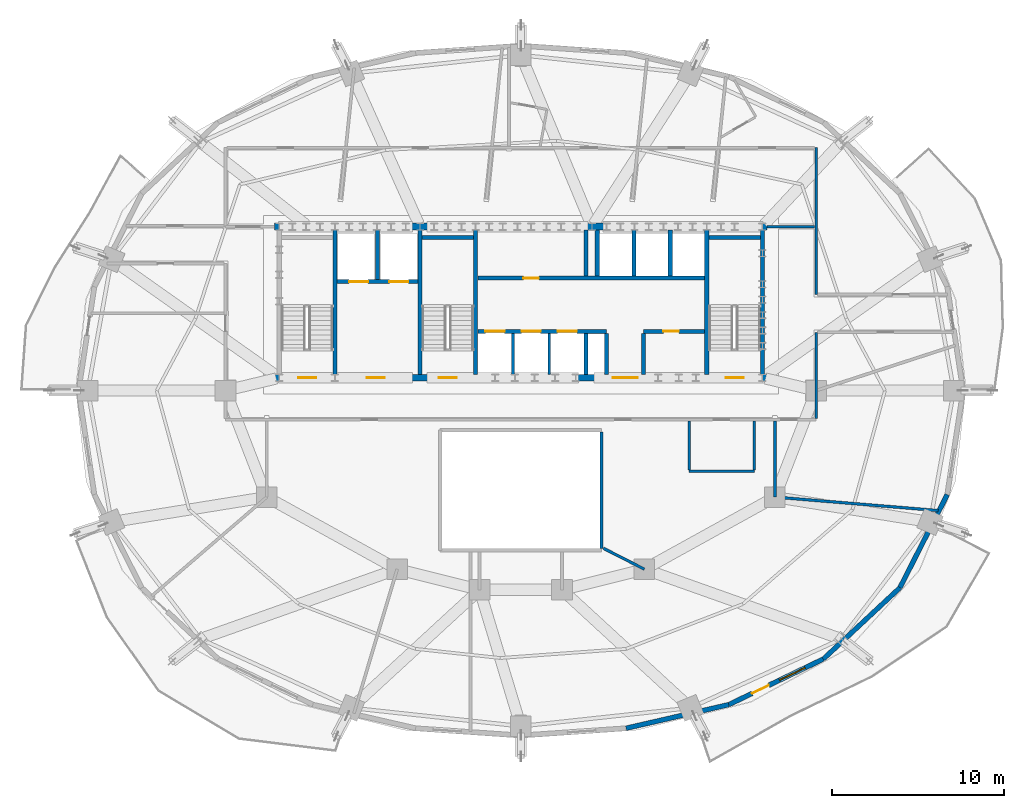
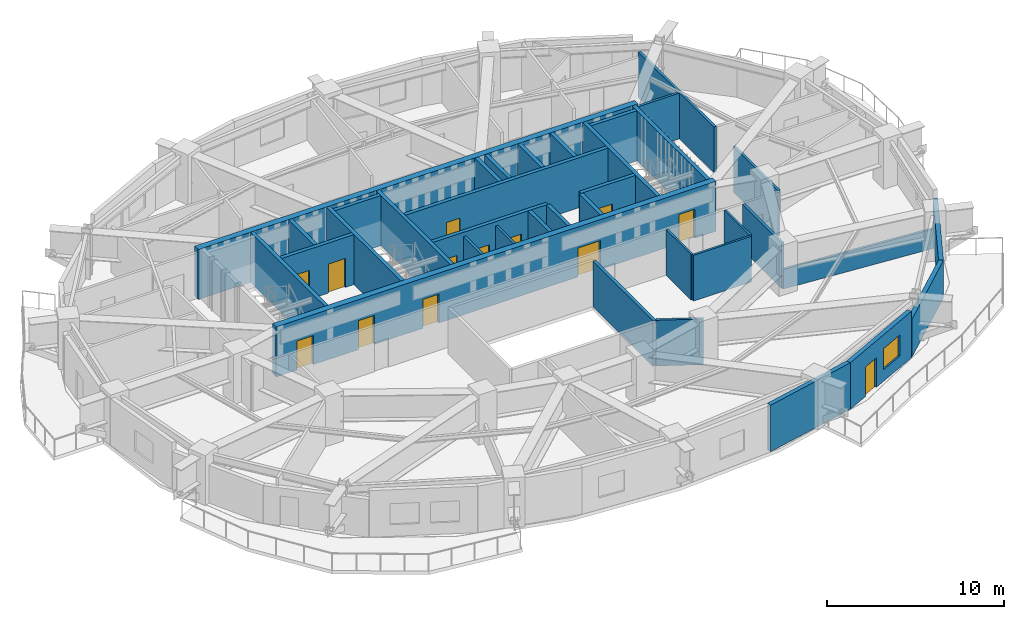
# One storey, part 8 of 14: 37 walls, 13 doors, 1 window, 14 openings.
"""IFC4 building model written with IfcOpenShell, lengths in metres."""

from ifc_helpers import new_model, si_unit, direction, frame, frame_2d, origin, place, context, subcontext, project, spatial, rectangle, extrude, material, layer, layer_set, type_object, element, fill, save


model = new_model("IFC4")

# Units and contexts
model_context = context("Model", 3, precision=1e-05, world=origin(), true_north=direction((0.0, 1.0)))
body_context = subcontext(model_context, "Body", "Model", "MODEL_VIEW")
ifc_project = project(units=[si_unit("LENGTHUNIT", "METRE"), si_unit("AREAUNIT", "SQUARE_METRE"), si_unit("VOLUMEUNIT", "CUBIC_METRE"), si_unit("PLANEANGLEUNIT", "RADIAN"), si_unit("MASSUNIT", "GRAM", prefix="KILO")], contexts=[model_context])

# Site, building, storey
site_placement = place(None, origin())
site = spatial("IfcSite", under=ifc_project, at=site_placement, CompositionType="ELEMENT")
building_placement = place(site_placement, origin())
building = spatial("IfcBuilding", under=site, at=building_placement, Name="Haldorwick Loom Tower", CompositionType="ELEMENT")
storey_placement = place(building_placement, frame((0.0, 0.0, 182.050048828125)))
storey = spatial("IfcBuildingStorey", under=building, at=storey_placement, Name="L49", CompositionType="ELEMENT", Elevation=182.050048828125)

# Wall
ifc_material_1 = material(Name="Pressed Clay Face Brick and Insulated Masonry Backup Assembly", Category="masonry")
ifc_layer_1 = layer(ifc_material_1, 0.280029296875, Name="Pressed Clay Face Brick and Insulated Masonry Backup Assembly", Category="masonry")
ifc_layer_set_1 = layer_set([ifc_layer_1], Name="Pressed Clay Face Brick and Insulated Masonry Backup Assembly")
wall_type_1 = type_object("IfcWallType", Name="ARC-WL-EXT280", PredefinedType="STANDARD", material=ifc_layer_set_1)
wall_1_placement = place(storey_placement, frame((42.12890625, 6.3359375, 0.0), z_axis=(0.0, 0.0, 1.0), x_axis=(0.974593223547, 0.223982250674, 0.0)))
element("IfcWall", 1, at=wall_1_placement, inside=storey, type_object=wall_type_1, Name="L49 Brick Pier and Spandrel Wall 20", PredefinedType="STANDARD", context=body_context, shape_type="SweptSolid", body=[
    extrude(rectangle(XDim=6.138916015625, YDim=0.280029296875, at=frame_2d((3.0693359375, 0.0))), origin(), (0.0, 0.0, 1.0), 3.2099609375),
])

# Wall, openings, door, window
wall_2_placement = place(storey_placement, frame((48.11181640625, 7.7109375, 0.0), z_axis=(0.0, 0.0, 1.0), x_axis=(0.900479976617, 0.434897472644, 0.0)))
wall_2 = element("IfcWall", 2, at=wall_2_placement, inside=storey, type_object=wall_type_1, Name="L49 Brick Pier and Spandrel Wall 21", PredefinedType="STANDARD", context=body_context, shape_type="SweptSolid", body=[
    extrude(rectangle(XDim=6.118408203125, YDim=0.280029296875, at=frame_2d((3.05908203125, 0.0))), origin(), (0.0, 0.0, 1.0), 3.2099609375),
])
opening_1_placement = place(wall_2_placement, frame((1.50634765625, 0.0, 0.0)))
opening_1 = element("IfcOpeningElement", 3, at=opening_1_placement, cuts=wall_2, Name="Opening D-BL11", PredefinedType="OPENING", context=body_context, shape_type="SweptSolid", body=[
    extrude(rectangle(XDim=1.080078125, YDim=2.0400390625, at=frame_2d((0.5400390625, 1.02001953125))), frame((0.0, 0.14990234375, 0.0), z_axis=(0.0, -1.0, 0.0), x_axis=(1.0, 0.0, 0.0)), (0.0, 0.0, 1.0), 0.300048828125),
])
opening_2_placement = place(wall_2_placement, frame((3.28662109375, 0.0, 0.800048828125)))
opening_2 = element("IfcOpeningElement", 4, at=opening_2_placement, cuts=wall_2, Name="Opening W-01B", PredefinedType="OPENING", context=body_context, shape_type="SweptSolid", body=[
    extrude(rectangle(XDim=1.64990234375, YDim=1.449951171875, at=frame_2d((0.824951171875, 0.72509765625))), frame((0.0, 0.14990234375, 0.0), z_axis=(0.0, -1.0, 0.0), x_axis=(1.0, 0.0, 0.0)), (0.0, 0.0, 1.0), 0.300048828125),
])
ifc_material_2 = material(Name="Thermally Broken Anodized Aluminium Curtain Wall Framing", Category="aluminium")
door_type_1 = type_object("IfcDoorType", Name="ARC-DR-BAL110", OperationType="NOTDEFINED", PredefinedType="DOOR", material=ifc_material_2)
door_1_placement = place(opening_1_placement, origin())
door_1 = element("IfcDoor", 5, at=door_1_placement, inside=storey, type_object=door_type_1, Name="L49 Outdoor Terrace Door SLB-L49-BAL_SE", OperationType="SINGLE_SWING_RIGHT", OverallHeight=2.0400390625, OverallWidth=1.080078125, PredefinedType="DOOR", context=body_context, shape_type="SweptSolid", body=[
    extrude(rectangle(XDim=1.080078125, YDim=2.0400390625, at=frame_2d((0.5400390625, 1.02001953125))), frame((0.0, 0.02490234375, 0.0), z_axis=(0.0, -1.0, 0.0), x_axis=(1.0, 0.0, 0.0)), (0.0, 0.0, 1.0), 0.050048828125),
])
fill(opening_1, door_1)
ifc_material_3 = material(Name="Triple-Glazed Low-E Argon Insulated Glazing Unit", Category="glass")
window_type = type_object("IfcWindowType", Name="ARC-WIN-W165", PartitioningType="SINGLE_PANEL", PredefinedType="WINDOW", material=ifc_material_3)
window_placement = place(opening_2_placement, origin())
window = element("IfcWindow", 6, at=window_placement, inside=storey, type_object=window_type, Name="L49 Deep-Set Zone 7A Window 21", OverallHeight=1.449951171875, OverallWidth=1.64990234375, PartitioningType="SINGLE_PANEL", PredefinedType="WINDOW", context=body_context, shape_type="SweptSolid", body=[
    extrude(rectangle(XDim=1.64990234375, YDim=1.449951171875, at=frame_2d((0.824951171875, 0.72509765625))), frame((0.0, 0.030029296875, 0.0), z_axis=(0.0, -1.0, 0.0), x_axis=(1.0, 0.0, 0.0)), (0.0, 0.0, 1.0), 0.06005859375),
])
fill(opening_2, window)

# Walls
for number, where, z_axis, x_axis, name in (
    (7, (53.621337890625, 10.371826171875, 0.0), (0.0, 0.0, 1.0), (0.731982952968, 0.681322945866, 0.0), "L49 Brick Pier and Spandrel Wall 22"),
    (8, (58.07666015625, 14.518798828125, 0.0), (0.0, 0.0, 1.0), (0.453172129629, 0.89142303141, 0.0), "L49 Brick Pier and Spandrel Wall 23"),
):
    element("IfcWall", number, at=place(storey_placement, frame(where, z_axis=z_axis, x_axis=x_axis)), inside=storey, type_object=wall_type_1, Name=name, PredefinedType="STANDARD", context=body_context, shape_type="SweptSolid", body=[
        extrude(rectangle(XDim=6.086669921875, YDim=0.280029296875, at=frame_2d((3.04345703125, 0.0))), origin(), (0.0, 0.0, 1.0), 2.600830078125),
    ])
ifc_material_4 = material(Name="Fire-Rated Type X Gypsum Stud Assembly EI 60")
ifc_layer_2 = layer(ifc_material_4, 0.159912109375, Name="Fire-Rated Type X Gypsum Stud Assembly EI 60")
ifc_layer_set_2 = layer_set([ifc_layer_2], Name="Fire-Rated Type X Gypsum Stud Assembly EI 60")
wall_type_2 = type_object("IfcWallType", Name="ARC-WL-FIRE160", PredefinedType="PARTITIONING", material=ifc_layer_set_2)
wall_3_placement = place(storey_placement, frame((53.199951171875, 24.383056640625, 0.0), z_axis=(0.0, 0.0, 1.0), x_axis=(0.0, 1.0, 0.0)))
element("IfcWall", 9, at=wall_3_placement, inside=storey, type_object=wall_type_2, Name="L49 Residential Fire Partition L49-CR-E0A", PredefinedType="PARTITIONING", context=body_context, shape_type="SweptSolid", body=[
    extrude(rectangle(XDim=5.016845703125, YDim=0.159912109375, at=frame_2d((2.50830078125, 0.0))), origin(), (0.0, 0.0, 1.0), 3.155029296875),
])
wall_4_placement = place(storey_placement, frame((53.199951171875, 31.60009765625, 0.0), z_axis=(0.0, 0.0, 1.0), x_axis=(0.0, 1.0, 0.0)))
element("IfcWall", 10, at=wall_4_placement, inside=storey, type_object=wall_type_2, Name="L49 Residential Fire Partition L49-CR-E0B", PredefinedType="PARTITIONING", context=body_context, shape_type="SweptSolid", body=[
    extrude(rectangle(XDim=8.5498046875, YDim=0.159912109375, at=frame_2d((4.27490234375, 0.0))), origin(), (0.0, 0.0, 1.0), 3.155029296875),
])
wall_5_placement = place(storey_placement, frame((50.35009765625, 35.550048828125, 0.0), z_axis=(0.0, 0.0, 1.0), x_axis=(1.0, 0.0, 0.0)))
element("IfcWall", 11, at=wall_5_placement, inside=storey, type_object=wall_type_2, Name="L49 Residential Fire Partition L49-CR-ENC", PredefinedType="PARTITIONING", context=body_context, shape_type="SweptSolid", body=[
    extrude(rectangle(XDim=2.766845703125, YDim=0.159912109375, at=frame_2d((1.38330078125, 0.0))), origin(), (0.0, 0.0, 1.0), 3.155029296875),
])
wall_6_placement = place(storey_placement, frame((50.800048828125, 19.800048828125, 0.0), z_axis=(0.0, 0.0, 1.0), x_axis=(0.996594982768, -0.082452655033, 0.0)))
element("IfcWall", 12, at=wall_6_placement, inside=storey, type_object=wall_type_2, Name="L49 Residential Fire Partition L49-ICR-03", PredefinedType="PARTITIONING", context=body_context, shape_type="SweptSolid", body=[
    extrude(rectangle(XDim=9.543212890625, YDim=0.159912109375, at=frame_2d((4.771484375, 0.0))), origin(), (0.0, 0.0, 1.0), 1.344970703125),
])
wall_7_placement = place(storey_placement, frame((50.800048828125, 24.217041015625, 0.0), z_axis=(0.0, 0.0, 1.0), x_axis=(0.0, -1.0, 0.0)))
element("IfcWall", 13, at=wall_7_placement, inside=storey, type_object=wall_type_2, Name="L49 Residential Fire Partition L49-ICA-02", PredefinedType="PARTITIONING", context=body_context, shape_type="SweptSolid", body=[
    extrude(rectangle(XDim=4.4169921875, YDim=0.159912109375, at=frame_2d((2.20849609375, 0.0))), origin(), (0.0, 0.0, 1.0), 3.155029296875),
])
wall_8_placement = place(storey_placement, frame((40.802978515625, 16.822021484375, 0.0), z_axis=(0.0, 0.0, 1.0), x_axis=(0.890915506237, -0.454169088278, 0.0)))
element("IfcWall", 14, at=wall_8_placement, inside=storey, type_object=wall_type_2, Name="L49 Residential Fire Partition L49-ICA-04", PredefinedType="PARTITIONING", context=body_context, shape_type="SweptSolid", body=[
    extrude(rectangle(XDim=2.6904296875, YDim=0.159912109375, at=frame_2d((1.34521484375, 0.0))), origin(), (0.0, 0.0, 1.0), 3.155029296875),
])
ifc_material_5 = material(Name="Fire-Rated Type X Gypsum Stud Assembly EI 120")
ifc_layer_3 = layer(ifc_material_5, 0.199951171875, Name="Fire-Rated Type X Gypsum Stud Assembly EI 120")
ifc_layer_set_3 = layer_set([ifc_layer_3], Name="Fire-Rated Type X Gypsum Stud Assembly EI 120")
wall_type_3 = type_object("IfcWallType", Name="ARC-WL-FIRE200", PredefinedType="PARTITIONING", material=ifc_layer_set_3)
wall_9_placement = place(storey_placement, frame((40.699951171875, 23.596923828125, 0.0), z_axis=(0.0, 0.0, 1.0), x_axis=(0.0, -1.0, 0.0)))
element("IfcWall", 15, at=wall_9_placement, inside=storey, type_object=wall_type_3, Name="L49 Atrium Fire Enclosure Wall E", PredefinedType="PARTITIONING", context=body_context, shape_type="SweptSolid", body=[
    extrude(rectangle(XDim=6.7939453125, YDim=0.199951171875, at=frame_2d((3.39697265625, 0.0))), origin(), (0.0, 0.0, 1.0), 3.155029296875),
])
ifc_layer_4 = layer(ifc_material_4, 0.139892578125, Name="Fire-Rated Type X Gypsum Stud Assembly EI 60")
ifc_layer_set_4 = layer_set([ifc_layer_4], Name="Fire-Rated Type X Gypsum Stud Assembly EI 60")
wall_type_4 = type_object("IfcWallType", Name="ARC-WL-PART140", PredefinedType="PARTITIONING", material=ifc_layer_set_4)
wall_10_placement = place(storey_placement, frame((45.800048828125, 21.300048828125, 0.0), z_axis=(0.0, 0.0, 1.0), x_axis=(1.0, 0.0, 0.0)))
element("IfcWall", 16, at=wall_10_placement, inside=storey, type_object=wall_type_4, Name="L49 Residential Fire Partition L49-CWC-S", PredefinedType="PARTITIONING", context=body_context, shape_type="SweptSolid", body=[
    extrude(rectangle(XDim=3.800048828125, YDim=0.139892578125, at=frame_2d((1.89990234375, 0.0))), origin(), (0.0, 0.0, 1.0), 3.155029296875),
])
for number, where, z_axis, x_axis, name in (
    (17, (45.800048828125, 21.373046875, 0.0), (0.0, 0.0, 1.0), (0.0, 1.0, 0.0), "L49 Residential Fire Partition L49-CWC-W"),
    (18, (49.60009765625, 21.373046875, 0.0), (0.0, 0.0, 1.0), (0.0, 1.0, 0.0), "L49 Residential Fire Partition L49-CWC-E"),
):
    element("IfcWall", number, at=place(storey_placement, frame(where, z_axis=z_axis, x_axis=x_axis)), inside=storey, type_object=wall_type_4, Name=name, PredefinedType="PARTITIONING", context=body_context, shape_type="SweptSolid", body=[
        extrude(rectangle(XDim=2.843994140625, YDim=0.139892578125, at=frame_2d((1.421875, 0.0))), origin(), (0.0, 0.0, 1.0), 3.155029296875),
    ])
ifc_layer_5 = layer(ifc_material_5, 0.1650390625, Name="Fire-Rated Type X Gypsum Stud Assembly EI 120")
ifc_layer_set_5 = layer_set([ifc_layer_5], Name="Fire-Rated Type X Gypsum Stud Assembly EI 120")
wall_type_5 = type_object("IfcWallType", Name="ARC-WL-SHAFT160", PredefinedType="MOVABLE", material=ifc_layer_set_5)
for number, where, z_axis, x_axis, name in (
    (19, (35.550048828125, 26.952880859375, 0.0), (0.0, 0.0, 1.0), (0.0, 1.0, 0.0), "L49 Mid-Rise Hoistway Divider 1"),
    (20, (37.64990234375, 26.952880859375, 0.0), (0.0, 0.0, 1.0), (0.0, 1.0, 0.0), "L49 Mid-Rise Hoistway Divider 2"),
):
    element("IfcWall", number, at=place(storey_placement, frame(where, z_axis=z_axis, x_axis=x_axis)), inside=storey, type_object=wall_type_5, Name=name, PredefinedType="MOVABLE", context=body_context, shape_type="SweptSolid", body=[
        extrude(rectangle(XDim=2.3740234375, YDim=0.159912109375, at=frame_2d((1.18701171875, 0.0))), origin(), (0.0, 0.0, 1.0), 3.155029296875),
    ])

# Wall, openings, doors
ifc_material_6 = material(Name="Concrete C50 (50 MPa)", Category="concrete")
ifc_layer_6 = layer(ifc_material_6, 0.39990234375, Name="Concrete C50 (50 MPa)", Category="concrete")
ifc_layer_set_6 = layer_set([ifc_layer_6], Name="Concrete C50 (50 MPa)")
wall_type_6 = type_object("IfcWallType", Name="STR-WL-CORE400", PredefinedType="SHEAR", material=ifc_layer_set_6)
wall_11_placement = place(storey_placement, frame((21.64990234375, 26.75, 0.0), z_axis=(0.0, 0.0, 1.0), x_axis=(1.0, 0.0, 0.0)))
wall_11 = element("IfcWall", 21, at=wall_11_placement, inside=storey, type_object=wall_type_6, Name="L49 Core Shear Wall S", PredefinedType="SHEAR", context=body_context, shape_type="SweptSolid", body=[
    extrude(rectangle(XDim=28.7001953125, YDim=0.39990234375, at=frame_2d((14.35009765625, 0.0))), origin(), (0.0, 0.0, 1.0), 3.449951171875),
])
opening_3_placement = place(wall_11_placement, frame((1.375, 0.0, 0.0)))
opening_3 = element("IfcOpeningElement", 22, at=opening_3_placement, cuts=wall_11, Name="Opening D-FD60", PredefinedType="OPENING", context=body_context, shape_type="SweptSolid", body=[
    extrude(rectangle(XDim=1.050048828125, YDim=2.0, at=frame_2d((0.52490234375, 1.0))), frame((0.0, 0.2099609375, 0.0), z_axis=(0.0, -1.0, 0.0), x_axis=(1.0, 0.0, 0.0)), (0.0, 0.0, 1.0), 0.419921875),
])
opening_4_placement = place(wall_11_placement, frame((5.375, 0.0, 0.0)))
opening_4 = element("IfcOpeningElement", 23, at=opening_4_placement, cuts=wall_11, Name="Opening D-FD60", PredefinedType="OPENING", context=body_context, shape_type="SweptSolid", body=[
    extrude(rectangle(XDim=1.050048828125, YDim=2.0, at=frame_2d((0.52490234375, 1.0))), frame((0.0, 0.2099609375, 0.0), z_axis=(0.0, -1.0, 0.0), x_axis=(1.0, 0.0, 0.0)), (0.0, 0.0, 1.0), 0.419921875),
])
opening_5_placement = place(wall_11_placement, frame((9.574951171875, 0.0, 0.0)))
opening_5 = element("IfcOpeningElement", 24, at=opening_5_placement, cuts=wall_11, Name="Opening D-FD60", PredefinedType="OPENING", context=body_context, shape_type="SweptSolid", body=[
    extrude(rectangle(XDim=1.050048828125, YDim=2.0, at=frame_2d((0.52490234375, 1.0))), frame((0.0, 0.2099609375, 0.0), z_axis=(0.0, -1.0, 0.0), x_axis=(1.0, 0.0, 0.0)), (0.0, 0.0, 1.0), 0.419921875),
])
opening_6_placement = place(wall_11_placement, frame((19.705078125, 0.0, 0.0)))
opening_6 = element("IfcOpeningElement", 25, at=opening_6_placement, cuts=wall_11, Name="Opening D-LB15", PredefinedType="OPENING", context=body_context, shape_type="SweptSolid", body=[
    extrude(rectangle(XDim=1.449951171875, YDim=2.0, at=frame_2d((0.72509765625, 1.0))), frame((0.0, 0.2099609375, 0.0), z_axis=(0.0, -1.0, 0.0), x_axis=(1.0, 0.0, 0.0)), (0.0, 0.0, 1.0), 0.419921875),
])
opening_7_placement = place(wall_11_placement, frame((26.27490234375, 0.0, 0.0)))
opening_7 = element("IfcOpeningElement", 26, at=opening_7_placement, cuts=wall_11, Name="Opening D-FD60", PredefinedType="OPENING", context=body_context, shape_type="SweptSolid", body=[
    extrude(rectangle(XDim=1.050048828125, YDim=2.0, at=frame_2d((0.52490234375, 1.0))), frame((0.0, 0.2099609375, 0.0), z_axis=(0.0, -1.0, 0.0), x_axis=(1.0, 0.0, 0.0)), (0.0, 0.0, 1.0), 0.419921875),
])
ifc_material_7 = material(Name="Hollow Steel Fire Door Assembly", Category="steel")
door_type_2 = type_object("IfcDoorType", Name="ARC-DR-FD60", OperationType="NOTDEFINED", PredefinedType="DOOR", material=ifc_material_7)
door_2_placement = place(opening_3_placement, origin())
door_2 = element("IfcDoor", 27, at=door_2_placement, inside=storey, type_object=door_type_2, Name="L49 Exit Stair ST-01 Fire Door", OperationType="SINGLE_SWING_LEFT", OverallHeight=2.0, OverallWidth=1.050048828125, PredefinedType="DOOR", context=body_context, shape_type="SweptSolid", body=[
    extrude(rectangle(XDim=1.050048828125, YDim=2.0, at=frame_2d((0.52490234375, 1.0))), frame((0.0, 0.02490234375, 0.0), z_axis=(0.0, -1.0, 0.0), x_axis=(1.0, 0.0, 0.0)), (0.0, 0.0, 1.0), 0.050048828125),
])
fill(opening_3, door_2)
door_3_placement = place(opening_4_placement, origin())
door_3 = element("IfcDoor", 28, at=door_3_placement, inside=storey, type_object=door_type_2, Name="L49 Firefighting Lift Lobby Fire Door", OperationType="SINGLE_SWING_RIGHT", OverallHeight=2.0, OverallWidth=1.050048828125, PredefinedType="DOOR", context=body_context, shape_type="SweptSolid", body=[
    extrude(rectangle(XDim=1.050048828125, YDim=2.0, at=frame_2d((0.52490234375, 1.0))), frame((0.0, 0.02490234375, 0.0), z_axis=(0.0, -1.0, 0.0), x_axis=(1.0, 0.0, 0.0)), (0.0, 0.0, 1.0), 0.050048828125),
])
fill(opening_4, door_3)
door_4_placement = place(opening_5_placement, origin())
door_4 = element("IfcDoor", 29, at=door_4_placement, inside=storey, type_object=door_type_2, Name="L49 Exit Stair ST-03 Fire Door", OperationType="SINGLE_SWING_LEFT", OverallHeight=2.0, OverallWidth=1.050048828125, PredefinedType="DOOR", context=body_context, shape_type="SweptSolid", body=[
    extrude(rectangle(XDim=1.050048828125, YDim=2.0, at=frame_2d((0.52490234375, 1.0))), frame((0.0, 0.02490234375, 0.0), z_axis=(0.0, -1.0, 0.0), x_axis=(1.0, 0.0, 0.0)), (0.0, 0.0, 1.0), 0.050048828125),
])
fill(opening_5, door_4)
door_5_placement = place(opening_7_placement, origin())
door_5 = element("IfcDoor", 30, at=door_5_placement, inside=storey, type_object=door_type_2, Name="L49 Exit Stair ST-02 Fire Door", OperationType="SINGLE_SWING_LEFT", OverallHeight=2.0, OverallWidth=1.050048828125, PredefinedType="DOOR", context=body_context, shape_type="SweptSolid", body=[
    extrude(rectangle(XDim=1.050048828125, YDim=2.0, at=frame_2d((0.52490234375, 1.0))), frame((0.0, 0.02490234375, 0.0), z_axis=(0.0, -1.0, 0.0), x_axis=(1.0, 0.0, 0.0)), (0.0, 0.0, 1.0), 0.050048828125),
])
fill(opening_7, door_5)
ifc_material_8 = material(Name="Thermally Broken Anodized Aluminium and Tempered Glass", Category="aluminium")
door_type_3 = type_object("IfcDoorType", Name="ARC-DR-LOB150", OperationType="NOTDEFINED", PredefinedType="DOOR", material=ifc_material_8)
door_6_placement = place(opening_6_placement, frame((1.449951171875, 0.0, 0.0), z_axis=(0.0, 0.0, 1.0), x_axis=(-1.0, 0.0, 0.0)))
door_6 = element("IfcDoor", 31, at=door_6_placement, inside=storey, type_object=door_type_3, Name="L49 Passenger Lift Lobby Fire Door", OperationType="DOUBLE_DOOR_SINGLE_SWING", OverallHeight=2.0, OverallWidth=1.449951171875, PredefinedType="DOOR", context=body_context, shape_type="SweptSolid", body=[
    extrude(rectangle(XDim=1.449951171875, YDim=2.0, at=frame_2d((0.72509765625, 1.0))), frame((0.0, 0.02490234375, 0.0), z_axis=(0.0, -1.0, 0.0), x_axis=(1.0, 0.0, 0.0)), (0.0, 0.0, 1.0), 0.050048828125),
])
fill(opening_6, door_6)

# Walls
wall_12_placement = place(storey_placement, frame((50.35009765625, 35.550048828125, 0.0), z_axis=(0.0, 0.0, 1.0), x_axis=(-1.0, 0.0, 0.0)))
element("IfcWall", 32, at=wall_12_placement, inside=storey, type_object=wall_type_6, Name="L49 Core Shear Wall N", PredefinedType="SHEAR", context=body_context, shape_type="SweptSolid", body=[
    extrude(rectangle(XDim=28.7001953125, YDim=0.39990234375, at=frame_2d((14.35009765625, 0.0))), origin(), (0.0, 0.0, 1.0), 3.449951171875),
])
ifc_layer_7 = layer(ifc_material_6, 0.239990234375, Name="Concrete C50 (50 MPa)", Category="concrete")
ifc_layer_set_7 = layer_set([ifc_layer_7], Name="Concrete C50 (50 MPa)")
wall_type_7 = type_object("IfcWallType", Name="STR-WL-SHAFT240", PredefinedType="SHEAR", material=ifc_layer_set_7)
for number, where, z_axis, x_axis, name in (
    (33, (50.070068359375, 26.952880859375, 0.0), (0.0, 0.0, 1.0), (0.0, 1.0, 0.0), "L49 Core Shear Wall E"),
    (34, (25.169921875, 26.952880859375, 0.0), (0.0, 0.0, 1.0), (0.0, 1.0, 0.0), "L49 Core Shear Wall 1"),
    (35, (30.1298828125, 26.952880859375, 0.0), (0.0, 0.0, 1.0), (0.0, 1.0, 0.0), "L49 Core Shear Wall 2"),
    (36, (33.3701171875, 26.952880859375, 0.0), (0.0, 0.0, 1.0), (0.0, 1.0, 0.0), "L49 Core Shear Wall 3"),
):
    element("IfcWall", number, at=place(storey_placement, frame(where, z_axis=z_axis, x_axis=x_axis)), inside=storey, type_object=wall_type_7, Name=name, PredefinedType="SHEAR", context=body_context, shape_type="SweptSolid", body=[
        extrude(rectangle(XDim=8.39404296875, YDim=0.239990234375, at=frame_2d((4.197021484375, 0.0))), origin(), (0.0, 0.0, 1.0), 3.449951171875),
    ])
wall_13_placement = place(storey_placement, frame((30.2529296875, 34.919921875, 0.0), z_axis=(0.0, 0.0, 1.0), x_axis=(1.0, 0.0, 0.0)))
element("IfcWall", 37, at=wall_13_placement, inside=storey, type_object=wall_type_7, Name="L49 Core Shear Wall 3N", PredefinedType="SHEAR", context=body_context, shape_type="SweptSolid", body=[
    extrude(rectangle(XDim=2.994140625, YDim=0.239990234375, at=frame_2d((1.4970703125, 0.0))), origin(), (0.0, 0.0, 1.0), 3.449951171875),
])
wall_14_placement = place(storey_placement, frame((46.830078125, 26.952880859375, 0.0), z_axis=(0.0, 0.0, 1.0), x_axis=(0.0, 1.0, 0.0)))
element("IfcWall", 38, at=wall_14_placement, inside=storey, type_object=wall_type_7, Name="L49 Core Shear Wall 4", PredefinedType="SHEAR", context=body_context, shape_type="SweptSolid", body=[
    extrude(rectangle(XDim=8.39404296875, YDim=0.239990234375, at=frame_2d((4.197021484375, 0.0))), origin(), (0.0, 0.0, 1.0), 3.449951171875),
])
wall_15_placement = place(storey_placement, frame((46.952880859375, 34.919921875, 0.0), z_axis=(0.0, 0.0, 1.0), x_axis=(1.0, 0.0, 0.0)))
element("IfcWall", 39, at=wall_15_placement, inside=storey, type_object=wall_type_7, Name="L49 Core Shear Wall 4N", PredefinedType="SHEAR", context=body_context, shape_type="SweptSolid", body=[
    extrude(rectangle(XDim=2.994140625, YDim=0.239990234375, at=frame_2d((1.4970703125, 0.0))), origin(), (0.0, 0.0, 1.0), 3.449951171875),
])

# Wall, openings, doors
wall_16_placement = place(storey_placement, frame((25.29296875, 32.35009765625, 0.0), z_axis=(0.0, 0.0, 1.0), x_axis=(1.0, 0.0, 0.0)))
wall_16 = element("IfcWall", 40, at=wall_16_placement, inside=storey, type_object=wall_type_7, Name="L49 Core Shear Wall FF", PredefinedType="SHEAR", context=body_context, shape_type="SweptSolid", body=[
    extrude(rectangle(XDim=4.714111328125, YDim=0.239990234375, at=frame_2d((2.35693359375, 0.0))), origin(), (0.0, 0.0, 1.0), 3.449951171875),
])
opening_8_placement = place(wall_16_placement, frame((0.70703125, 0.0, 0.0)))
opening_8 = element("IfcOpeningElement", 41, at=opening_8_placement, cuts=wall_16, Name="Opening LD-FF1", PredefinedType="OPENING", context=body_context, shape_type="SweptSolid", body=[
    extrude(rectangle(XDim=1.10009765625, YDim=2.0, at=frame_2d((0.550048828125, 1.0))), frame((0.0, 0.1298828125, 0.0), z_axis=(0.0, -1.0, 0.0), x_axis=(1.0, 0.0, 0.0)), (0.0, 0.0, 1.0), 0.260009765625),
])
opening_9_placement = place(wall_16_placement, frame((3.056884765625, 0.0, 0.0)))
opening_9 = element("IfcOpeningElement", 42, at=opening_9_placement, cuts=wall_16, Name="Opening LD-FF2", PredefinedType="OPENING", context=body_context, shape_type="SweptSolid", body=[
    extrude(rectangle(XDim=1.10009765625, YDim=2.0, at=frame_2d((0.550048828125, 1.0))), frame((0.0, 0.1298828125, 0.0), z_axis=(0.0, -1.0, 0.0), x_axis=(1.0, 0.0, 0.0)), (0.0, 0.0, 1.0), 0.260009765625),
])
door_type_4 = type_object("IfcDoorType", Name="ARC-DR-LD-FF", OperationType="NOTDEFINED", PredefinedType="USERDEFINED", material=ifc_material_7)
door_7_placement = place(opening_8_placement, origin())
door_7 = element("IfcDoor", 43, at=door_7_placement, inside=storey, type_object=door_type_4, Name="L49 Lift LF-FF1 Sliding Landing Door", ObjectType="LANDING DOOR", OperationType="DOUBLE_DOOR_SLIDING", OverallHeight=2.0, OverallWidth=1.10009765625, PredefinedType="USERDEFINED", context=body_context, shape_type="SweptSolid", body=[
    extrude(rectangle(XDim=1.10009765625, YDim=2.0, at=frame_2d((0.550048828125, 1.0))), frame((0.0, 0.02490234375, 0.0), z_axis=(0.0, -1.0, 0.0), x_axis=(1.0, 0.0, 0.0)), (0.0, 0.0, 1.0), 0.050048828125),
])
fill(opening_8, door_7)
door_8_placement = place(opening_9_placement, origin())
door_8 = element("IfcDoor", 44, at=door_8_placement, inside=storey, type_object=door_type_4, Name="L49 Lift LF-FF2 Sliding Landing Door", ObjectType="LANDING DOOR", OperationType="DOUBLE_DOOR_SLIDING", OverallHeight=2.0, OverallWidth=1.10009765625, PredefinedType="USERDEFINED", context=body_context, shape_type="SweptSolid", body=[
    extrude(rectangle(XDim=1.10009765625, YDim=2.0, at=frame_2d((0.550048828125, 1.0))), frame((0.0, 0.02490234375, 0.0), z_axis=(0.0, -1.0, 0.0), x_axis=(1.0, 0.0, 0.0)), (0.0, 0.0, 1.0), 0.050048828125),
])
fill(opening_9, door_8)

# Wall
wall_17_placement = place(storey_placement, frame((27.64990234375, 32.472900390625, 0.0), z_axis=(0.0, 0.0, 1.0), x_axis=(0.0, 1.0, 0.0)))
element("IfcWall", 45, at=wall_17_placement, inside=storey, type_object=wall_type_7, Name="L49 Core Shear Wall FFD", PredefinedType="SHEAR", context=body_context, shape_type="SweptSolid", body=[
    extrude(rectangle(XDim=2.8740234375, YDim=0.239990234375, at=frame_2d((1.43701171875, 0.0))), origin(), (0.0, 0.0, 1.0), 3.449951171875),
])

# Wall, opening, door
wall_18_placement = place(storey_placement, frame((33.492919921875, 32.550048828125, 0.0), z_axis=(0.0, 0.0, 1.0), x_axis=(1.0, 0.0, 0.0)))
wall_18 = element("IfcWall", 46, at=wall_18_placement, inside=storey, type_object=wall_type_7, Name="L49 Core Shear Wall LN", PredefinedType="SHEAR", context=body_context, shape_type="SweptSolid", body=[
    extrude(rectangle(XDim=13.214111328125, YDim=0.239990234375, at=frame_2d((6.60693359375, 0.0))), origin(), (0.0, 0.0, 1.0), 3.449951171875),
])
opening_10_placement = place(wall_18_placement, frame((2.656982421875, 0.0, 0.0)))
opening_10 = element("IfcOpeningElement", 47, at=opening_10_placement, cuts=wall_18, Name="Opening D-FD60A", PredefinedType="OPENING", context=body_context, shape_type="SweptSolid", body=[
    extrude(rectangle(XDim=0.89990234375, YDim=2.0, at=frame_2d((0.449951171875, 1.0))), frame((0.0, 0.1298828125, 0.0), z_axis=(0.0, -1.0, 0.0), x_axis=(1.0, 0.0, 0.0)), (0.0, 0.0, 1.0), 0.260009765625),
])
door_type_5 = type_object("IfcDoorType", Name="ARC-DR-FD60-90", OperationType="NOTDEFINED", PredefinedType="DOOR", material=ifc_material_7)
door_9_placement = place(opening_10_placement, frame((0.89990234375, 0.0, 0.0), z_axis=(0.0, 0.0, 1.0), x_axis=(-1.0, 0.0, 0.0)))
door_9 = element("IfcDoor", 48, at=door_9_placement, inside=storey, type_object=door_type_5, Name="L49 Housekeeping Store Door", OperationType="SINGLE_SWING_LEFT", OverallHeight=2.0, OverallWidth=0.89990234375, PredefinedType="DOOR", context=body_context, shape_type="SweptSolid", body=[
    extrude(rectangle(XDim=0.89990234375, YDim=2.0, at=frame_2d((0.449951171875, 1.0))), frame((0.0, 0.02490234375, 0.0), z_axis=(0.0, -1.0, 0.0), x_axis=(1.0, 0.0, 0.0)), (0.0, 0.0, 1.0), 0.050048828125),
])
fill(opening_10, door_9)

# Wall, openings, doors
wall_19_placement = place(storey_placement, frame((33.492919921875, 29.449951171875, 0.0), z_axis=(0.0, 0.0, 1.0), x_axis=(1.0, 0.0, 0.0)))
wall_19 = element("IfcWall", 49, at=wall_19_placement, inside=storey, type_object=wall_type_7, Name="L49 Core Shear Wall LS1", PredefinedType="SHEAR", context=body_context, shape_type="SweptSolid", body=[
    extrude(rectangle(XDim=7.507080078125, YDim=0.239990234375, at=frame_2d((3.75341796875, 0.0))), origin(), (0.0, 0.0, 1.0), 3.449951171875),
])
opening_11_placement = place(wall_19_placement, frame((0.447021484375, 0.0, 0.0)))
opening_11 = element("IfcOpeningElement", 50, at=opening_11_placement, cuts=wall_19, Name="Opening LD-M1", PredefinedType="OPENING", context=body_context, shape_type="SweptSolid", body=[
    extrude(rectangle(XDim=1.1201171875, YDim=2.0, at=frame_2d((0.56005859375, 1.0))), frame((0.0, 0.1298828125, 0.0), z_axis=(0.0, -1.0, 0.0), x_axis=(1.0, 0.0, 0.0)), (0.0, 0.0, 1.0), 0.260009765625),
])
opening_12_placement = place(wall_19_placement, frame((2.547119140625, 0.0, 0.0)))
opening_12 = element("IfcOpeningElement", 51, at=opening_12_placement, cuts=wall_19, Name="Opening LD-M2", PredefinedType="OPENING", context=body_context, shape_type="SweptSolid", body=[
    extrude(rectangle(XDim=1.1201171875, YDim=2.0, at=frame_2d((0.56005859375, 1.0))), frame((0.0, 0.1298828125, 0.0), z_axis=(0.0, -1.0, 0.0), x_axis=(1.0, 0.0, 0.0)), (0.0, 0.0, 1.0), 0.260009765625),
])
opening_13_placement = place(wall_19_placement, frame((4.64697265625, 0.0, 0.0)))
opening_13 = element("IfcOpeningElement", 52, at=opening_13_placement, cuts=wall_19, Name="Opening LD-M3", PredefinedType="OPENING", context=body_context, shape_type="SweptSolid", body=[
    extrude(rectangle(XDim=1.1201171875, YDim=2.0, at=frame_2d((0.56005859375, 1.0))), frame((0.0, 0.1298828125, 0.0), z_axis=(0.0, -1.0, 0.0), x_axis=(1.0, 0.0, 0.0)), (0.0, 0.0, 1.0), 0.260009765625),
])
door_type_6 = type_object("IfcDoorType", Name="ARC-DR-LD-PAX", OperationType="NOTDEFINED", PredefinedType="USERDEFINED", material=ifc_material_7)
door_10_placement = place(opening_11_placement, origin())
door_10 = element("IfcDoor", 53, at=door_10_placement, inside=storey, type_object=door_type_6, Name="L49 Lift LF-M1 Sliding Landing Door", ObjectType="LANDING DOOR", OperationType="DOUBLE_DOOR_SLIDING", OverallHeight=2.0, OverallWidth=1.1201171875, PredefinedType="USERDEFINED", context=body_context, shape_type="SweptSolid", body=[
    extrude(rectangle(XDim=1.1201171875, YDim=2.0, at=frame_2d((0.56005859375, 1.0))), frame((0.0, 0.02490234375, 0.0), z_axis=(0.0, -1.0, 0.0), x_axis=(1.0, 0.0, 0.0)), (0.0, 0.0, 1.0), 0.050048828125),
])
fill(opening_11, door_10)
door_11_placement = place(opening_12_placement, origin())
door_11 = element("IfcDoor", 54, at=door_11_placement, inside=storey, type_object=door_type_6, Name="L49 Lift LF-M2 Sliding Landing Door", ObjectType="LANDING DOOR", OperationType="DOUBLE_DOOR_SLIDING", OverallHeight=2.0, OverallWidth=1.1201171875, PredefinedType="USERDEFINED", context=body_context, shape_type="SweptSolid", body=[
    extrude(rectangle(XDim=1.1201171875, YDim=2.0, at=frame_2d((0.56005859375, 1.0))), frame((0.0, 0.02490234375, 0.0), z_axis=(0.0, -1.0, 0.0), x_axis=(1.0, 0.0, 0.0)), (0.0, 0.0, 1.0), 0.050048828125),
])
fill(opening_12, door_11)
door_12_placement = place(opening_13_placement, origin())
door_12 = element("IfcDoor", 55, at=door_12_placement, inside=storey, type_object=door_type_6, Name="L49 Lift LF-M3 Sliding Landing Door", ObjectType="LANDING DOOR", OperationType="DOUBLE_DOOR_SLIDING", OverallHeight=2.0, OverallWidth=1.1201171875, PredefinedType="USERDEFINED", context=body_context, shape_type="SweptSolid", body=[
    extrude(rectangle(XDim=1.1201171875, YDim=2.0, at=frame_2d((0.56005859375, 1.0))), frame((0.0, 0.02490234375, 0.0), z_axis=(0.0, -1.0, 0.0), x_axis=(1.0, 0.0, 0.0)), (0.0, 0.0, 1.0), 0.050048828125),
])
fill(opening_13, door_12)

# Wall, opening, door
wall_20_placement = place(storey_placement, frame((43.14990234375, 29.449951171875, 0.0), z_axis=(0.0, 0.0, 1.0), x_axis=(1.0, 0.0, 0.0)))
wall_20 = element("IfcWall", 56, at=wall_20_placement, inside=storey, type_object=wall_type_7, Name="L49 Core Shear Wall LS2", PredefinedType="SHEAR", context=body_context, shape_type="SweptSolid", body=[
    extrude(rectangle(XDim=3.55712890625, YDim=0.239990234375, at=frame_2d((1.778564453125, 0.0))), origin(), (0.0, 0.0, 1.0), 3.449951171875),
])
opening_14_placement = place(wall_20_placement, frame((1.14990234375, 0.0, 0.0)))
opening_14 = element("IfcOpeningElement", 57, at=opening_14_placement, cuts=wall_20, Name="Opening D-FD60A", PredefinedType="OPENING", context=body_context, shape_type="SweptSolid", body=[
    extrude(rectangle(XDim=0.89990234375, YDim=2.0, at=frame_2d((0.449951171875, 1.0))), frame((0.0, 0.1298828125, 0.0), z_axis=(0.0, -1.0, 0.0), x_axis=(1.0, 0.0, 0.0)), (0.0, 0.0, 1.0), 0.260009765625),
])
door_13_placement = place(opening_14_placement, origin())
door_13 = element("IfcDoor", 58, at=door_13_placement, inside=storey, type_object=door_type_5, Name="L49 Electrical Metering Door", OperationType="SINGLE_SWING_LEFT", OverallHeight=2.0, OverallWidth=0.89990234375, PredefinedType="DOOR", context=body_context, shape_type="SweptSolid", body=[
    extrude(rectangle(XDim=0.89990234375, YDim=2.0, at=frame_2d((0.449951171875, 1.0))), frame((0.0, 0.02490234375, 0.0), z_axis=(0.0, -1.0, 0.0), x_axis=(1.0, 0.0, 0.0)), (0.0, 0.0, 1.0), 0.050048828125),
])
fill(opening_14, door_13)

# Walls
for number, where, z_axis, x_axis, name in (
    (59, (41.0, 26.952880859375, 0.0), (0.0, 0.0, 1.0), (0.0, 1.0, 0.0), "L49 Core Shear Wall THW"),
    (60, (43.14990234375, 26.952880859375, 0.0), (0.0, 0.0, 1.0), (0.0, 1.0, 0.0), "L49 Core Shear Wall THE"),
):
    element("IfcWall", number, at=place(storey_placement, frame(where, z_axis=z_axis, x_axis=x_axis)), inside=storey, type_object=wall_type_7, Name=name, PredefinedType="SHEAR", context=body_context, shape_type="SweptSolid", body=[
        extrude(rectangle(XDim=2.3740234375, YDim=0.239990234375, at=frame_2d((1.18701171875, 0.0))), origin(), (0.0, 0.0, 1.0), 3.449951171875),
    ])
for number, where, z_axis, x_axis, name in (
    (61, (39.800048828125, 32.673095703125, 0.0), (0.0, 0.0, 1.0), (0.0, 1.0, 0.0), "L49 Core Shear Wall LHW"),
    (62, (40.449951171875, 32.673095703125, 0.0), (0.0, 0.0, 1.0), (0.0, 1.0, 0.0), "L49 Core Shear Wall H0"),
    (63, (42.60009765625, 32.673095703125, 0.0), (0.0, 0.0, 1.0), (0.0, 1.0, 0.0), "L49 Core Shear Wall H1"),
    (64, (44.699951171875, 32.673095703125, 0.0), (0.0, 0.0, 1.0), (0.0, 1.0, 0.0), "L49 Core Shear Wall H2"),
):
    element("IfcWall", number, at=place(storey_placement, frame(where, z_axis=z_axis, x_axis=x_axis)), inside=storey, type_object=wall_type_7, Name=name, PredefinedType="SHEAR", context=body_context, shape_type="SweptSolid", body=[
        extrude(rectangle(XDim=2.673828125, YDim=0.239990234375, at=frame_2d((1.3369140625, 0.0))), origin(), (0.0, 0.0, 1.0), 3.449951171875),
    ])
wall_21_placement = place(storey_placement, frame((39.800048828125, 26.952880859375, 0.0), z_axis=(0.0, 0.0, 1.0), x_axis=(0.0, 1.0, 0.0)))
element("IfcWall", 65, at=wall_21_placement, inside=storey, type_object=wall_type_7, Name="L49 Core Shear Wall MRW", PredefinedType="SHEAR", context=body_context, shape_type="SweptSolid", body=[
    extrude(rectangle(XDim=2.3740234375, YDim=0.239990234375, at=frame_2d((1.18701171875, 0.0))), origin(), (0.0, 0.0, 1.0), 3.449951171875),
])

save(model, "model.ifc")
